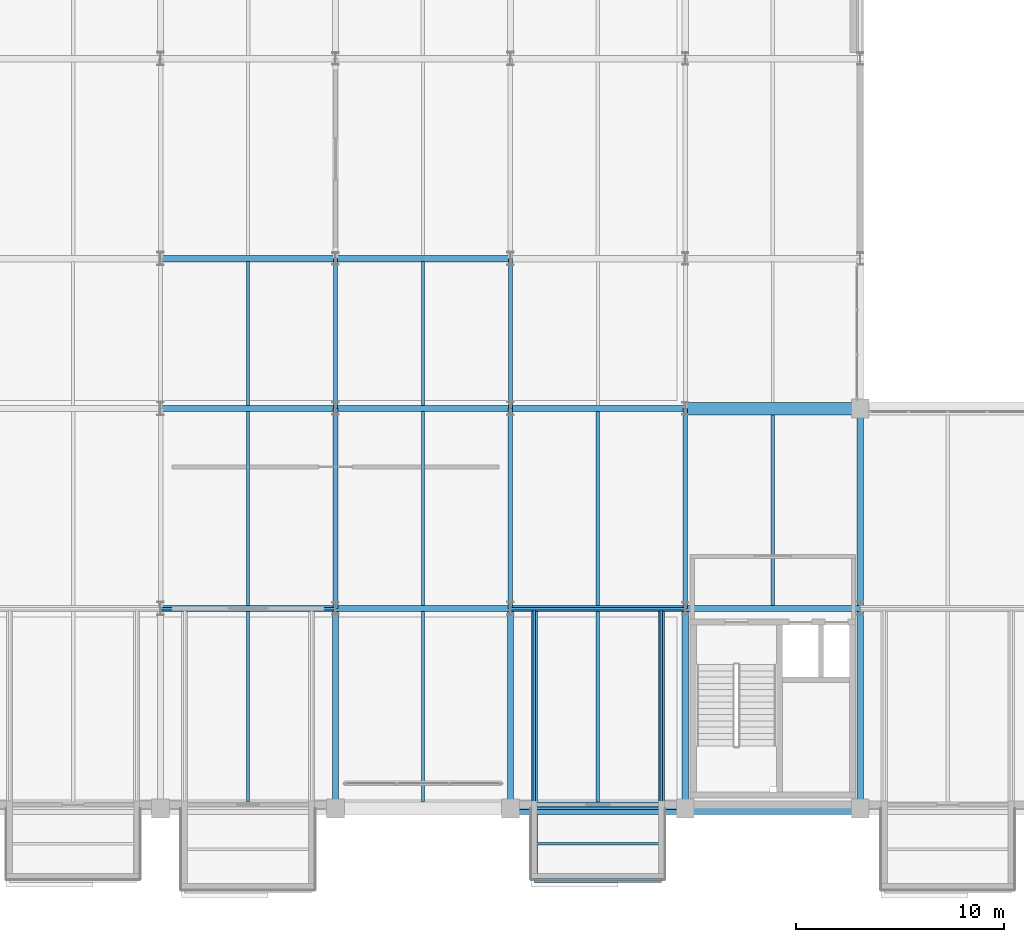
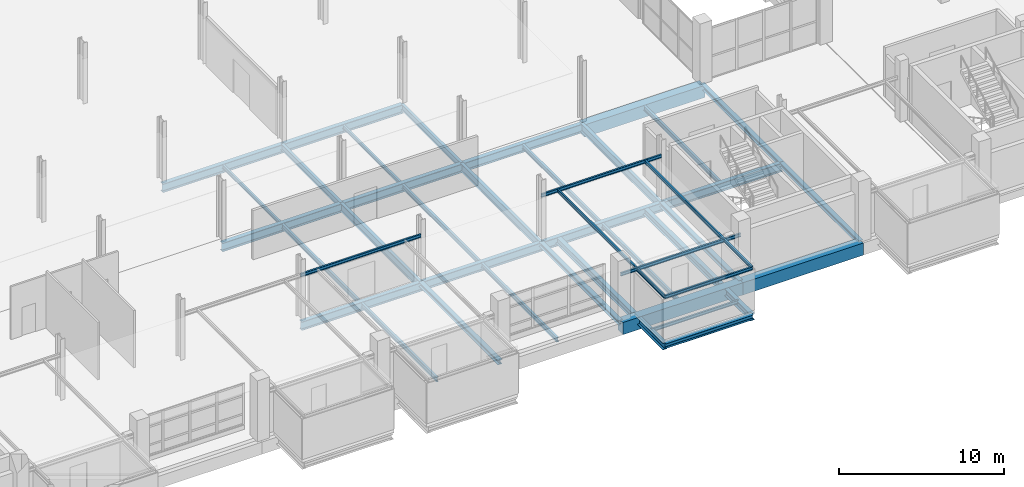
# One storey, part 46 of 130: 41 beams.
"""IFC4 building model written with IfcOpenShell, lengths in metres."""

from ifc_helpers import new_model, si_unit, direction, frame, origin, origin_2d, place, context, subcontext, project, spatial, rectangle, i_section, extrude, material, material_profile, profile_set, type_object, element, save


model = new_model("IFC4")

# Units and contexts
model_context = context("Model", 3, precision=1e-05, world=origin(), true_north=direction((0.0, 1.0)))
body_context = subcontext(model_context, "Body", "Model", "MODEL_VIEW")
ifc_project = project(units=[si_unit("LENGTHUNIT", "METRE"), si_unit("AREAUNIT", "SQUARE_METRE"), si_unit("VOLUMEUNIT", "CUBIC_METRE"), si_unit("PLANEANGLEUNIT", "RADIAN"), si_unit("MASSUNIT", "GRAM", prefix="KILO")], contexts=[model_context])

# Site, building, storey
site_placement = place(None, origin())
site = spatial("IfcSite", under=ifc_project, at=site_placement, CompositionType="ELEMENT")
building_placement = place(site_placement, origin())
building = spatial("IfcBuilding", under=site, at=building_placement, Name="Veltarok Museum of Natural Sciences", CompositionType="ELEMENT")
storey_placement = place(building_placement, frame((0.0, 0.0, 12.89990234375)))
storey = spatial("IfcBuildingStorey", under=building, at=storey_placement, Name="L02", CompositionType="ELEMENT", Elevation=12.89990234375)

# Beams
ifc_material_1 = material(Name="Steel S355J2", Category="steel")
ifc_material_profile_1 = material_profile(ifc_material_1, i_section(OverallWidth=0.300048828125, OverallDepth=0.5, WebThickness=0.014404296875, FlangeThickness=0.028076171875, FilletRadius=0.027099609375, at=origin_2d()), Name="HEB 500")
ifc_profile_set_1 = profile_set([ifc_material_profile_1], Name="Steel S355J2")
beam_type_1 = type_object("IfcBeamType", Name="Cabinet Box Cantilever Girder HEB 500", PredefinedType="BEAM", material=ifc_profile_set_1)
for number, where, z_axis, x_axis, name in (
    (1, (83.14990234375, -3.39990234375, -0.5), (0.0, 1.0, 0.0), (-1.0, 0.0, 0.0), "Cabinet Cantilever Girder DB-10-1"),
    (2, (89.25, -3.39990234375, -0.5), (0.0, 1.0, 0.0), (-1.0, 0.0, 0.0), "Cabinet Cantilever Girder DB-10-2"),
):
    element("IfcBeam", number, at=place(storey_placement, frame(where, z_axis=z_axis, x_axis=x_axis)), inside=storey, type_object=beam_type_1, Name=name, PredefinedType="BEAM", context=body_context, shape_type="SweptSolid", body=[
        extrude(i_section(OverallWidth=0.300048828125, OverallDepth=0.5, WebThickness=0.014404296875, FlangeThickness=0.028076171875, FilletRadius=0.027099609375, at=origin_2d()), origin(), (0.0, 0.0, 1.0), 13.0),
    ])
ifc_material_profile_2 = material_profile(ifc_material_1, i_section(OverallWidth=0.1201171875, OverallDepth=0.239990234375, WebThickness=0.006103515625, FlangeThickness=0.009765625, FilletRadius=0.014892578125, at=origin_2d()), Name="IPE 240")
ifc_profile_set_2 = profile_set([ifc_material_profile_2], Name="Steel S355J2")
beam_type_2 = type_object("IfcBeamType", Name="Cabinet Box Secondary Joist IPE 240", PredefinedType="JOIST", material=ifc_profile_set_2)
beam_1_placement = place(storey_placement, frame((65.199951171875, 9.60009765625, 3.130126953125), z_axis=(1.0, 0.0, 0.0), x_axis=(0.0, 1.0, 0.0)))
element("IfcBeam", 3, at=beam_1_placement, inside=storey, type_object=beam_type_2, Name="Cabinet Roof Tie Beam DB-09-I", PredefinedType="JOIST", context=body_context, shape_type="SweptSolid", body=[
    extrude(i_section(OverallWidth=0.1201171875, OverallDepth=0.239990234375, WebThickness=0.006103515625, FlangeThickness=0.009765625, FilletRadius=0.014892578125, at=origin_2d()), origin(), (0.0, 0.0, 1.0), 8.400146484375),
])
for number, where, z_axis, x_axis, name in (
    (4, (83.14990234375, -3.39990234375, 3.130126953125), (0.0, 1.0, 0.0), (-1.0, 0.0, 0.0), "Cabinet Roof Rafter DB-10-1"),
    (5, (89.25, -3.39990234375, 3.130126953125), (0.0, 1.0, 0.0), (-1.0, 0.0, 0.0), "Cabinet Roof Rafter DB-10-2"),
):
    element("IfcBeam", number, at=place(storey_placement, frame(where, z_axis=z_axis, x_axis=x_axis)), inside=storey, type_object=beam_type_2, Name=name, PredefinedType="JOIST", context=body_context, shape_type="SweptSolid", body=[
        extrude(i_section(OverallWidth=0.1201171875, OverallDepth=0.239990234375, WebThickness=0.006103515625, FlangeThickness=0.009765625, FilletRadius=0.014892578125, at=origin_2d()), origin(), (0.0, 0.0, 1.0), 13.0),
    ])
for number, where, z_axis, x_axis, name in (
    (6, (82.0, 0.0, 3.130126953125), (1.0, 0.0, 0.0), (0.0, 1.0, 0.0), "Cabinet Roof Tie Beam DB-10-P"),
    (7, (82.0, 9.60009765625, 3.130126953125), (1.0, 0.0, 0.0), (0.0, 1.0, 0.0), "Cabinet Roof Tie Beam DB-10-I"),
):
    element("IfcBeam", number, at=place(storey_placement, frame(where, z_axis=z_axis, x_axis=x_axis)), inside=storey, type_object=beam_type_2, Name=name, PredefinedType="JOIST", context=body_context, shape_type="SweptSolid", body=[
        extrude(i_section(OverallWidth=0.1201171875, OverallDepth=0.239990234375, WebThickness=0.006103515625, FlangeThickness=0.009765625, FilletRadius=0.014892578125, at=origin_2d()), origin(), (0.0, 0.0, 1.0), 8.39990234375),
    ])
for number, where, z_axis, x_axis, name in (
    (8, (83.14990234375, -3.39990234375, 3.130126953125), (1.0, 0.0, 0.0), (0.0, 1.0, 0.0), "Cabinet Roof Tip Header DB-10"),
    (9, (83.14990234375, -1.699951171875, -0.369873046875), (1.0, 0.0, 0.0), (0.0, 1.0, 0.0), "Cabinet Box Joist DB-10"),
):
    element("IfcBeam", number, at=place(storey_placement, frame(where, z_axis=z_axis, x_axis=x_axis)), inside=storey, type_object=beam_type_2, Name=name, PredefinedType="JOIST", context=body_context, shape_type="SweptSolid", body=[
        extrude(i_section(OverallWidth=0.1201171875, OverallDepth=0.239990234375, WebThickness=0.006103515625, FlangeThickness=0.009765625, FilletRadius=0.014892578125, at=origin_2d()), origin(), (0.0, 0.0, 1.0), 6.10009765625),
    ])
ifc_material_profile_3 = material_profile(ifc_material_1, i_section(OverallWidth=0.300048828125, OverallDepth=0.35009765625, WebThickness=0.010009765625, FlangeThickness=0.017578125, FilletRadius=0.027099609375, at=origin_2d()), Name="HEA 360")
ifc_profile_set_3 = profile_set([ifc_material_profile_3], Name="Steel S355J2")
beam_type_3 = type_object("IfcBeamType", Name="Cabinet Box Tip Header HEA 360", PredefinedType="BEAM", material=ifc_profile_set_3)
beam_2_placement = place(storey_placement, frame((83.14990234375, -3.39990234375, -0.4248046875), z_axis=(1.0, 0.0, 0.0), x_axis=(0.0, 1.0, 0.0)))
element("IfcBeam", 10, at=beam_2_placement, inside=storey, type_object=beam_type_3, Name="Cabinet Tip Header DB-10", PredefinedType="BEAM", context=body_context, shape_type="SweptSolid", body=[
    extrude(i_section(OverallWidth=0.300048828125, OverallDepth=0.35009765625, WebThickness=0.010009765625, FlangeThickness=0.017578125, FilletRadius=0.027099609375, at=origin_2d()), origin(), (0.0, 0.0, 1.0), 6.10009765625),
])
ifc_material_2 = material(Name="Concrete C40/50", Category="concrete")
ifc_material_profile_4 = material_profile(ifc_material_2, rectangle(XDim=0.60009765625, YDim=0.89990234375, at=origin_2d()), Name="RC 600x900")
ifc_profile_set_4 = profile_set([ifc_material_profile_4], Name="Concrete C40/50")
beam_type_4 = type_object("IfcBeamType", Name="Exposed Cabinet Perimeter Spandrel RC 600x900", PredefinedType="SPANDREL", material=ifc_profile_set_4)
beam_3_placement = place(storey_placement, frame((82.0, 0.0, -0.699951171875), z_axis=(1.0, 0.0, 0.0), x_axis=(0.0, 1.0, 0.0)))
element("IfcBeam", 11, at=beam_3_placement, inside=storey, type_object=beam_type_4, Name="Beam BM-SP01 L02 10-11/A", PredefinedType="SPANDREL", context=body_context, shape_type="SweptSolid", body=[
    extrude(rectangle(XDim=0.60009765625, YDim=0.89990234375, at=origin_2d()), origin(), (0.0, 0.0, 1.0), 8.39990234375),
])
for number, where, z_axis, x_axis, name in (
    (12, (90.39990234375, 0.0, -0.699951171875), (1.0, 0.0, 0.0), (0.0, 1.0, 0.0), "Beam BM-SP01 L02 11-12/A"),
    (13, (90.39990234375, 19.199951171875, -0.699951171875), (1.0, 0.0, 0.0), (0.0, 1.0, 0.0), "Beam BM-SP01 L02 11-12/C"),
):
    element("IfcBeam", number, at=place(storey_placement, frame(where, z_axis=z_axis, x_axis=x_axis)), inside=storey, type_object=beam_type_4, Name=name, PredefinedType="SPANDREL", context=body_context, shape_type="SweptSolid", body=[
        extrude(rectangle(XDim=0.60009765625, YDim=0.89990234375, at=origin_2d()), origin(), (0.0, 0.0, 1.0), 8.400146484375),
    ])
ifc_material_profile_5 = material_profile(ifc_material_1, i_section(OverallWidth=0.300048828125, OverallDepth=0.639892578125, WebThickness=0.013427734375, FlangeThickness=0.02587890625, FilletRadius=0.027099609375, at=origin_2d()), Name="HEA 650")
ifc_profile_set_5 = profile_set([ifc_material_profile_5], Name="Steel S355J2")
beam_type_5 = type_object("IfcBeamType", Name="Heavy Exhibition Girder HEA 650", PredefinedType="BEAM", material=ifc_profile_set_5)
beam_4_placement = place(storey_placement, frame((65.199951171875, 9.60009765625, -0.56982421875), z_axis=(1.0, 0.0, 0.0), x_axis=(0.0, 1.0, 0.0)))
element("IfcBeam", 14, at=beam_4_placement, inside=storey, type_object=beam_type_5, Name="Beam BM-G08 L02 8-9/B", PredefinedType="BEAM", context=body_context, shape_type="SweptSolid", body=[
    extrude(i_section(OverallWidth=0.300048828125, OverallDepth=0.639892578125, WebThickness=0.013427734375, FlangeThickness=0.02587890625, FilletRadius=0.027099609375, at=origin_2d()), origin(), (0.0, 0.0, 1.0), 8.400146484375),
])
for number, where, z_axis, x_axis, name in (
    (15, (73.60009765625, 9.60009765625, -0.56982421875), (1.0, 0.0, 0.0), (0.0, 1.0, 0.0), "Beam BM-G08 L02 9-10/B"),
    (16, (82.0, 9.60009765625, -0.56982421875), (1.0, 0.0, 0.0), (0.0, 1.0, 0.0), "Beam BM-G08 L02 10-11/B"),
):
    element("IfcBeam", number, at=place(storey_placement, frame(where, z_axis=z_axis, x_axis=x_axis)), inside=storey, type_object=beam_type_5, Name=name, PredefinedType="BEAM", context=body_context, shape_type="SweptSolid", body=[
        extrude(i_section(OverallWidth=0.300048828125, OverallDepth=0.639892578125, WebThickness=0.013427734375, FlangeThickness=0.02587890625, FilletRadius=0.027099609375, at=origin_2d()), origin(), (0.0, 0.0, 1.0), 8.39990234375),
    ])
for number, where, z_axis, x_axis, name in (
    (17, (90.39990234375, 9.60009765625, -0.56982421875), (1.0, 0.0, 0.0), (0.0, 1.0, 0.0), "Beam BM-G08 L02 11-12/B"),
    (18, (65.199951171875, 19.199951171875, -0.56982421875), (1.0, 0.0, 0.0), (0.0, 1.0, 0.0), "Beam BM-G08 L02 8-9/C"),
):
    element("IfcBeam", number, at=place(storey_placement, frame(where, z_axis=z_axis, x_axis=x_axis)), inside=storey, type_object=beam_type_5, Name=name, PredefinedType="BEAM", context=body_context, shape_type="SweptSolid", body=[
        extrude(i_section(OverallWidth=0.300048828125, OverallDepth=0.639892578125, WebThickness=0.013427734375, FlangeThickness=0.02587890625, FilletRadius=0.027099609375, at=origin_2d()), origin(), (0.0, 0.0, 1.0), 8.400146484375),
    ])
for number, where, z_axis, x_axis, name in (
    (19, (73.60009765625, 19.199951171875, -0.56982421875), (1.0, 0.0, 0.0), (0.0, 1.0, 0.0), "Beam BM-G08 L02 9-10/C"),
    (20, (82.0, 19.199951171875, -0.56982421875), (1.0, 0.0, 0.0), (0.0, 1.0, 0.0), "Beam BM-G08 L02 10-11/C"),
):
    element("IfcBeam", number, at=place(storey_placement, frame(where, z_axis=z_axis, x_axis=x_axis)), inside=storey, type_object=beam_type_5, Name=name, PredefinedType="BEAM", context=body_context, shape_type="SweptSolid", body=[
        extrude(i_section(OverallWidth=0.300048828125, OverallDepth=0.639892578125, WebThickness=0.013427734375, FlangeThickness=0.02587890625, FilletRadius=0.027099609375, at=origin_2d()), origin(), (0.0, 0.0, 1.0), 8.39990234375),
    ])
beam_5_placement = place(storey_placement, frame((65.199951171875, 26.39990234375, -0.56982421875), z_axis=(1.0, 0.0, 0.0), x_axis=(0.0, 1.0, 0.0)))
element("IfcBeam", 21, at=beam_5_placement, inside=storey, type_object=beam_type_5, Name="Beam BM-G08 L02 8-9/D", PredefinedType="BEAM", context=body_context, shape_type="SweptSolid", body=[
    extrude(i_section(OverallWidth=0.300048828125, OverallDepth=0.639892578125, WebThickness=0.013427734375, FlangeThickness=0.02587890625, FilletRadius=0.027099609375, at=origin_2d()), origin(), (0.0, 0.0, 1.0), 8.400146484375),
])
beam_6_placement = place(storey_placement, frame((73.60009765625, 26.39990234375, -0.56982421875), z_axis=(1.0, 0.0, 0.0), x_axis=(0.0, 1.0, 0.0)))
element("IfcBeam", 22, at=beam_6_placement, inside=storey, type_object=beam_type_5, Name="Beam BM-G08 L02 9-10/D", PredefinedType="BEAM", context=body_context, shape_type="SweptSolid", body=[
    extrude(i_section(OverallWidth=0.300048828125, OverallDepth=0.639892578125, WebThickness=0.013427734375, FlangeThickness=0.02587890625, FilletRadius=0.027099609375, at=origin_2d()), origin(), (0.0, 0.0, 1.0), 8.39990234375),
])
ifc_material_profile_6 = material_profile(ifc_material_1, i_section(OverallWidth=0.18994140625, OverallDepth=0.449951171875, WebThickness=0.009521484375, FlangeThickness=0.0146484375, FilletRadius=0.02099609375, at=origin_2d()), Name="IPE 450")
ifc_profile_set_6 = profile_set([ifc_material_profile_6], Name="Steel S355J2")
beam_type_6 = type_object("IfcBeamType", Name="Laboratory Floor Girder IPE 450", PredefinedType="BEAM", material=ifc_profile_set_6)
for number, where, z_axis, x_axis, name in (
    (23, (73.60009765625, 19.199951171875, -0.474853515625), (0.0, 1.0, 0.0), (-1.0, 0.0, 0.0), "Beam BM-G05 L02 9/C-D"),
    (24, (82.0, 19.199951171875, -0.474853515625), (0.0, 1.0, 0.0), (-1.0, 0.0, 0.0), "Beam BM-G05 L02 10/C-D"),
):
    element("IfcBeam", number, at=place(storey_placement, frame(where, z_axis=z_axis, x_axis=x_axis)), inside=storey, type_object=beam_type_6, Name=name, PredefinedType="BEAM", context=body_context, shape_type="SweptSolid", body=[
        extrude(i_section(OverallWidth=0.18994140625, OverallDepth=0.449951171875, WebThickness=0.009521484375, FlangeThickness=0.0146484375, FilletRadius=0.02099609375, at=origin_2d()), origin(), (0.0, 0.0, 1.0), 7.199951171875),
    ])
ifc_material_profile_7 = material_profile(ifc_material_1, i_section(OverallWidth=0.159912109375, OverallDepth=0.330078125, WebThickness=0.007568359375, FlangeThickness=0.011474609375, FilletRadius=0.01806640625, at=origin_2d()), Name="IPE 330")
ifc_profile_set_7 = profile_set([ifc_material_profile_7], Name="Steel S355J2")
beam_type_7 = type_object("IfcBeamType", Name="Medium-Bay Composite Joist IPE 330", PredefinedType="JOIST", material=ifc_profile_set_7)
beam_7_placement = place(storey_placement, frame((69.39990234375, 0.298095703125, -0.414794921875), z_axis=(0.0, 1.0, 0.0), x_axis=(-1.0, 0.0, 0.0)))
element("IfcBeam", 25, at=beam_7_placement, inside=storey, type_object=beam_type_7, Name="Secondary Joist BM-J02 L02 8-9/A-B.1", PredefinedType="JOIST", context=body_context, shape_type="SweptSolid", body=[
    extrude(i_section(OverallWidth=0.159912109375, OverallDepth=0.330078125, WebThickness=0.007568359375, FlangeThickness=0.011474609375, FilletRadius=0.01806640625, at=origin_2d()), origin(), (0.0, 0.0, 1.0), 9.15380859375),
])
beam_8_placement = place(storey_placement, frame((69.39990234375, 9.748046875, -0.414794921875), z_axis=(0.0, 1.0, 0.0), x_axis=(-1.0, 0.0, 0.0)))
element("IfcBeam", 26, at=beam_8_placement, inside=storey, type_object=beam_type_7, Name="Secondary Joist BM-J02 L02 8-9/B-C.1", PredefinedType="JOIST", context=body_context, shape_type="SweptSolid", body=[
    extrude(i_section(OverallWidth=0.159912109375, OverallDepth=0.330078125, WebThickness=0.007568359375, FlangeThickness=0.011474609375, FilletRadius=0.01806640625, at=origin_2d()), origin(), (0.0, 0.0, 1.0), 9.303955078125),
])
beam_9_placement = place(storey_placement, frame((77.800048828125, 0.298095703125, -0.414794921875), z_axis=(0.0, 1.0, 0.0), x_axis=(-1.0, 0.0, 0.0)))
element("IfcBeam", 27, at=beam_9_placement, inside=storey, type_object=beam_type_7, Name="Secondary Joist BM-J02 L02 9-10/A-B.1", PredefinedType="JOIST", context=body_context, shape_type="SweptSolid", body=[
    extrude(i_section(OverallWidth=0.159912109375, OverallDepth=0.330078125, WebThickness=0.007568359375, FlangeThickness=0.011474609375, FilletRadius=0.01806640625, at=origin_2d()), origin(), (0.0, 0.0, 1.0), 9.15380859375),
])
beam_10_placement = place(storey_placement, frame((77.800048828125, 9.748046875, -0.414794921875), z_axis=(0.0, 1.0, 0.0), x_axis=(-1.0, 0.0, 0.0)))
element("IfcBeam", 28, at=beam_10_placement, inside=storey, type_object=beam_type_7, Name="Secondary Joist BM-J02 L02 9-10/B-C.1", PredefinedType="JOIST", context=body_context, shape_type="SweptSolid", body=[
    extrude(i_section(OverallWidth=0.159912109375, OverallDepth=0.330078125, WebThickness=0.007568359375, FlangeThickness=0.011474609375, FilletRadius=0.01806640625, at=origin_2d()), origin(), (0.0, 0.0, 1.0), 9.303955078125),
])
beam_11_placement = place(storey_placement, frame((86.199951171875, 0.298095703125, -0.414794921875), z_axis=(0.0, 1.0, 0.0), x_axis=(-1.0, 0.0, 0.0)))
element("IfcBeam", 29, at=beam_11_placement, inside=storey, type_object=beam_type_7, Name="Secondary Joist BM-J02 L02 10-11/A-B.1", PredefinedType="JOIST", context=body_context, shape_type="SweptSolid", body=[
    extrude(i_section(OverallWidth=0.159912109375, OverallDepth=0.330078125, WebThickness=0.007568359375, FlangeThickness=0.011474609375, FilletRadius=0.01806640625, at=origin_2d()), origin(), (0.0, 0.0, 1.0), 9.15380859375),
])
beam_12_placement = place(storey_placement, frame((86.199951171875, 9.748046875, -0.414794921875), z_axis=(0.0, 1.0, 0.0), x_axis=(-1.0, 0.0, 0.0)))
element("IfcBeam", 30, at=beam_12_placement, inside=storey, type_object=beam_type_7, Name="Secondary Joist BM-J02 L02 10-11/B-C.1", PredefinedType="JOIST", context=body_context, shape_type="SweptSolid", body=[
    extrude(i_section(OverallWidth=0.159912109375, OverallDepth=0.330078125, WebThickness=0.007568359375, FlangeThickness=0.011474609375, FilletRadius=0.01806640625, at=origin_2d()), origin(), (0.0, 0.0, 1.0), 9.303955078125),
])
beam_13_placement = place(storey_placement, frame((94.60009765625, 9.748046875, -0.414794921875), z_axis=(0.0, 1.0, 0.0), x_axis=(-1.0, 0.0, 0.0)))
element("IfcBeam", 31, at=beam_13_placement, inside=storey, type_object=beam_type_7, Name="Secondary Joist BM-J02 L02 11-12/B-C.1", PredefinedType="JOIST", context=body_context, shape_type="SweptSolid", body=[
    extrude(i_section(OverallWidth=0.159912109375, OverallDepth=0.330078125, WebThickness=0.007568359375, FlangeThickness=0.011474609375, FilletRadius=0.01806640625, at=origin_2d()), origin(), (0.0, 0.0, 1.0), 9.154052734375),
])
ifc_material_profile_8 = material_profile(ifc_material_1, i_section(OverallWidth=0.300048828125, OverallDepth=0.330078125, WebThickness=0.009521484375, FlangeThickness=0.0166015625, FilletRadius=0.027099609375, at=origin_2d()), Name="HEA 340")
ifc_profile_set_8 = profile_set([ifc_material_profile_8], Name="Steel S355J2")
beam_type_8 = type_object("IfcBeamType", Name="Perimeter Upper Spandrel HEA 340", PredefinedType="SPANDREL", material=ifc_profile_set_8)
for number, where, z_axis, x_axis, name in (
    (32, (73.60009765625, 0.0, -0.414794921875), (0.0, 1.0, 0.0), (-1.0, 0.0, 0.0), "Beam BM-SP05 L02 9/A-B"),
    (33, (82.0, 0.0, -0.414794921875), (0.0, 1.0, 0.0), (-1.0, 0.0, 0.0), "Beam BM-SP05 L02 10/A-B"),
    (34, (90.39990234375, 0.0, -0.414794921875), (0.0, 1.0, 0.0), (-1.0, 0.0, 0.0), "Beam BM-SP05 L02 11/A-B"),
    (35, (98.800048828125, 0.0, -0.414794921875), (0.0, 1.0, 0.0), (-1.0, 0.0, 0.0), "Beam BM-SP05 L02 12/A-B"),
):
    element("IfcBeam", number, at=place(storey_placement, frame(where, z_axis=z_axis, x_axis=x_axis)), inside=storey, type_object=beam_type_8, Name=name, PredefinedType="SPANDREL", context=body_context, shape_type="SweptSolid", body=[
        extrude(i_section(OverallWidth=0.300048828125, OverallDepth=0.330078125, WebThickness=0.009521484375, FlangeThickness=0.0166015625, FilletRadius=0.027099609375, at=origin_2d()), origin(), (0.0, 0.0, 1.0), 9.60009765625),
    ])
beam_14_placement = place(storey_placement, frame((98.800048828125, 9.60009765625, -0.414794921875), z_axis=(0.0, 1.0, 0.0), x_axis=(-1.0, 0.0, 0.0)))
element("IfcBeam", 36, at=beam_14_placement, inside=storey, type_object=beam_type_8, Name="Beam BM-SP05 L02 12/B-C", PredefinedType="SPANDREL", context=body_context, shape_type="SweptSolid", body=[
    extrude(i_section(OverallWidth=0.300048828125, OverallDepth=0.330078125, WebThickness=0.009521484375, FlangeThickness=0.0166015625, FilletRadius=0.027099609375, at=origin_2d()), origin(), (0.0, 0.0, 1.0), 9.599853515625),
])
ifc_material_profile_9 = material_profile(ifc_material_1, i_section(OverallWidth=0.219970703125, OverallDepth=0.60009765625, WebThickness=0.011962890625, FlangeThickness=0.01904296875, FilletRadius=0.02392578125, at=origin_2d()), Name="IPE 600")
ifc_profile_set_9 = profile_set([ifc_material_profile_9], Name="Steel S355J2")
beam_type_9 = type_object("IfcBeamType", Name="Primary Museum Girder IPE 600", PredefinedType="BEAM", material=ifc_profile_set_9)
for number, where, z_axis, x_axis, name in (
    (37, (73.60009765625, 9.60009765625, -0.5498046875), (0.0, 1.0, 0.0), (-1.0, 0.0, 0.0), "Beam BM-G02 L02 9/B-C"),
    (38, (82.0, 9.60009765625, -0.5498046875), (0.0, 1.0, 0.0), (-1.0, 0.0, 0.0), "Beam BM-G02 L02 10/B-C"),
    (39, (90.39990234375, 9.60009765625, -0.5498046875), (0.0, 1.0, 0.0), (-1.0, 0.0, 0.0), "Beam BM-G02 L02 11/B-C"),
):
    element("IfcBeam", number, at=place(storey_placement, frame(where, z_axis=z_axis, x_axis=x_axis)), inside=storey, type_object=beam_type_9, Name=name, PredefinedType="BEAM", context=body_context, shape_type="SweptSolid", body=[
        extrude(i_section(OverallWidth=0.219970703125, OverallDepth=0.60009765625, WebThickness=0.011962890625, FlangeThickness=0.01904296875, FilletRadius=0.02392578125, at=origin_2d()), origin(), (0.0, 0.0, 1.0), 9.599853515625),
    ])
ifc_material_profile_10 = material_profile(ifc_material_1, i_section(OverallWidth=0.135009765625, OverallDepth=0.27001953125, WebThickness=0.006591796875, FlangeThickness=0.01025390625, FilletRadius=0.014892578125, at=origin_2d()), Name="IPE 270")
ifc_profile_set_10 = profile_set([ifc_material_profile_10], Name="Steel S355J2")
beam_type_10 = type_object("IfcBeamType", Name="Short-Bay Composite Joist IPE 270", PredefinedType="JOIST", material=ifc_profile_set_10)
for number, where, z_axis, x_axis, name in (
    (40, (69.39990234375, 19.347900390625, -0.385009765625), (0.0, 1.0, 0.0), (-1.0, 0.0, 0.0), "Secondary Joist BM-J04 L02 8-9/C-D.1"),
    (41, (77.800048828125, 19.347900390625, -0.385009765625), (0.0, 1.0, 0.0), (-1.0, 0.0, 0.0), "Secondary Joist BM-J04 L02 9-10/C-D.1"),
):
    element("IfcBeam", number, at=place(storey_placement, frame(where, z_axis=z_axis, x_axis=x_axis)), inside=storey, type_object=beam_type_10, Name=name, PredefinedType="JOIST", context=body_context, shape_type="SweptSolid", body=[
        extrude(i_section(OverallWidth=0.135009765625, OverallDepth=0.27001953125, WebThickness=0.006591796875, FlangeThickness=0.01025390625, FilletRadius=0.014892578125, at=origin_2d()), origin(), (0.0, 0.0, 1.0), 6.904052734375),
    ])

save(model, "model.ifc")
